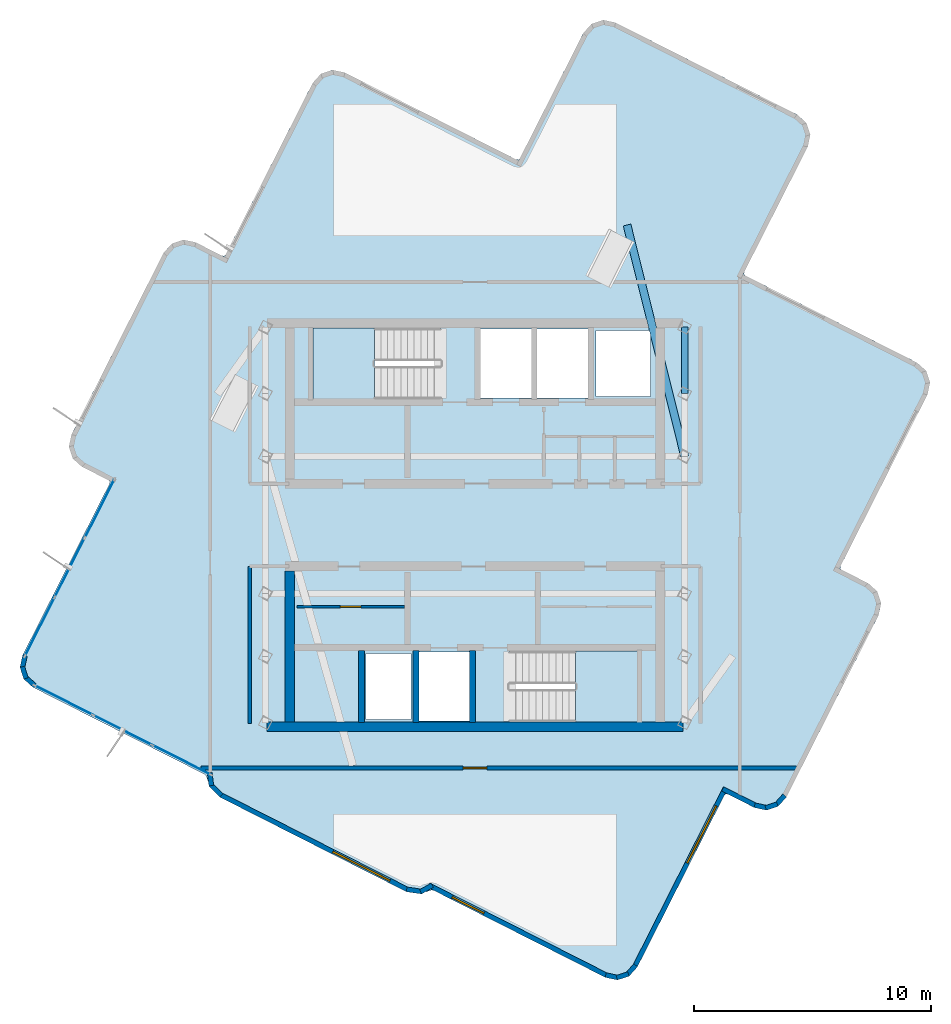
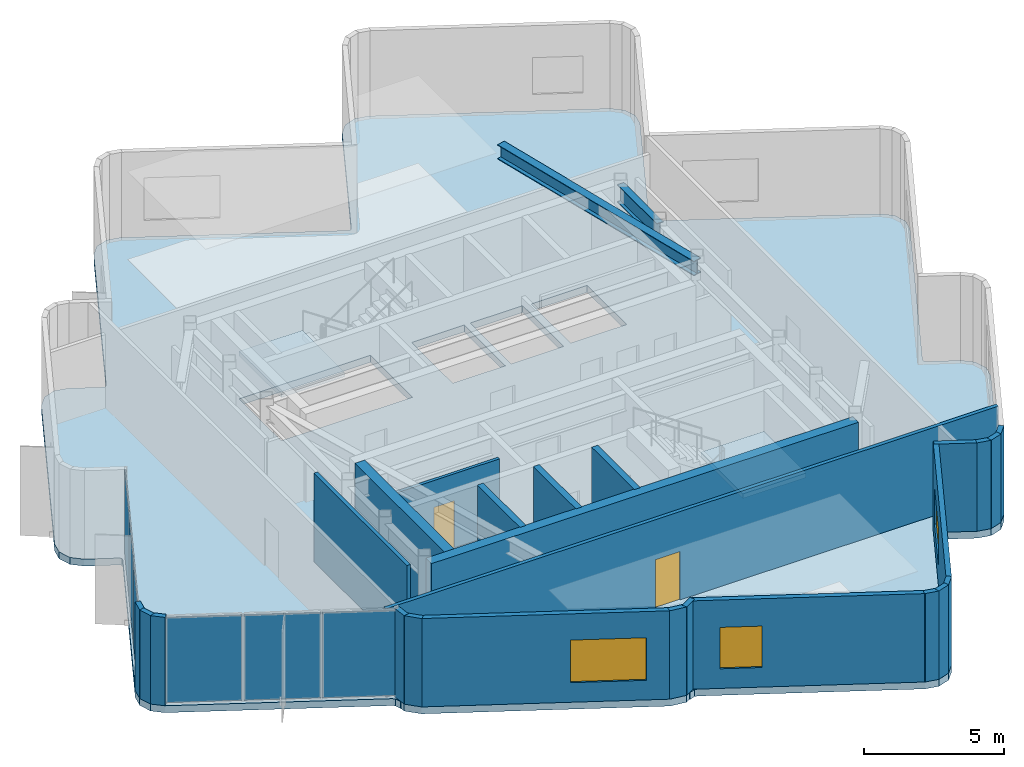
# One storey, part 2 of 8: 25 walls, 6 plates, 3 slabs, 3 windows, 2 beams, 2 doors, 5 openings, 4 elements without a shape of their own.
"""IFC4 building model written with IfcOpenShell, lengths in metres."""

from ifc_helpers import new_model, si_unit, direction, frame, frame_2d, origin, origin_2d, place, context, subcontext, project, spatial, polyline, rectangle, i_section, outline, extrude, material, layer, layer_set, material_profile, profile_set, type_object, element, fill, aggregate, save


model = new_model("IFC4")

# Units and contexts
model_context = context("Model", 3, precision=1e-05, world=origin(), true_north=direction((0.0, 1.0)))
body_context = subcontext(model_context, "Body", "Model", "MODEL_VIEW")
ifc_project = project(units=[si_unit("LENGTHUNIT", "METRE"), si_unit("AREAUNIT", "SQUARE_METRE"), si_unit("VOLUMEUNIT", "CUBIC_METRE"), si_unit("PLANEANGLEUNIT", "RADIAN"), si_unit("MASSUNIT", "GRAM", prefix="KILO")], contexts=[model_context])

# Site, building, storey
site_placement = place(None, origin())
site = spatial("IfcSite", under=ifc_project, at=site_placement, CompositionType="ELEMENT")
building_placement = place(site_placement, origin())
building = spatial("IfcBuilding", under=site, at=building_placement, Name="Solmarez Civic Tower", CompositionType="ELEMENT")
storey_placement = place(building_placement, frame((0.0, 0.0, 289.260009765625)))
storey = spatial("IfcBuildingStorey", under=building, at=storey_placement, Name="L78 Crown", CompositionType="ELEMENT", Elevation=289.260009765625)

# Beams
ifc_material_1 = material(Name="Steel S355", Category="steel")
ifc_material_profile_1 = material_profile(ifc_material_1, i_section(OverallWidth=0.327880859375, OverallDepth=0.6220703125, WebThickness=0.015380859375, FlangeThickness=0.0244140625, at=origin_2d()), Name="W24X131")
ifc_profile_set_1 = profile_set([ifc_material_profile_1], Name="Steel S355")
beam_type_1 = type_object("IfcBeamType", Name="BM-PR-W24X131", PredefinedType="BEAM", material=ifc_profile_set_1)
beam_1_placement = place(storey_placement, frame((8.85009765625, 2.89990234375, 3.529052734375), z_axis=(-0.24147379309, 0.970407340889, 0.0), x_axis=(-0.970407340889, -0.24147379309, 0.0)))
element("IfcBeam", 1, at=beam_1_placement, inside=storey, type_object=beam_type_1, Name="L78 Crown Primary Floor Beam BM-L78 Crown-CR-E2", PredefinedType="BEAM", context=body_context, shape_type="SweptSolid", body=[
    extrude(i_section(OverallWidth=0.327880859375, OverallDepth=0.6220703125, WebThickness=0.015380859375, FlangeThickness=0.0244140625, at=origin_2d()), origin(), (0.0, 0.0, 1.0), 10.06396484375),
])
ifc_material_profile_2 = material_profile(ifc_material_1, i_section(OverallWidth=0.26708984375, OverallDepth=0.761962890625, WebThickness=0.014404296875, FlangeThickness=0.021484375, at=origin_2d()), Name="W30X116")
ifc_profile_set_2 = profile_set([ifc_material_profile_2], Name="Steel S355")
beam_type_2 = type_object("IfcBeamType", Name="BM-PR-W30X116", PredefinedType="BEAM", material=ifc_profile_set_2)
beam_2_placement = place(storey_placement, frame((8.85009765625, 5.550048828125, 3.458984375), z_axis=(0.0, 1.0, 0.0), x_axis=(-1.0, 0.0, 0.0)))
element("IfcBeam", 2, at=beam_2_placement, inside=storey, type_object=beam_type_2, Name="L78 Crown Primary Floor Beam BM-L78 Crown-HC8-HC11", PredefinedType="BEAM", context=body_context, shape_type="SweptSolid", body=[
    extrude(i_section(OverallWidth=0.26708984375, OverallDepth=0.761962890625, WebThickness=0.014404296875, FlangeThickness=0.021484375, at=origin_2d()), origin(), (0.0, 0.0, 1.0), 2.800048828125),
])

# Curtain wall, plates
ifc_material_2 = material(Name="Bronze Anodised Aluminium EN AW-6063 T6", Category="aluminium")
ifc_layer_1 = layer(ifc_material_2, 0.195068359375)
ifc_layer_set_1 = layer_set([ifc_layer_1], Name="Bronze Anodised Aluminium EN AW-6063 T6")
curtain_wall_type = type_object("IfcCurtainWallType", Name="CW-SYS-7", PredefinedType="NOTDEFINED", material=ifc_layer_set_1)
curtain_wall_1_placement = place(storey_placement, origin())
curtain_wall_1 = element("IfcCurtainWall", 3, at=curtain_wall_1_placement, inside=storey, type_object=curtain_wall_type, Name="L78 Crown Stick-Built Curtain Wall 1", PredefinedType="NOTDEFINED")
ifc_material_3 = material(Name="Solar Control Low-E Laminated Vision Glass", Category="glass")
ifc_layer_2 = layer(ifc_material_3, 0.035888671875)
ifc_layer_set_2 = layer_set([ifc_layer_2], Name="Solar Control Low-E Laminated Vision Glass")
plate_type = type_object("IfcPlateType", Name="CWP-GLAZ-36", PredefinedType="CURTAIN_PANEL", material=ifc_layer_set_2)
plate_1_placement = place(storey_placement, frame((-12.38671875, -9.92138671875, 0.06982421875), z_axis=(0.0, 0.0, 1.0), x_axis=(-0.891942519449, 0.452148805151, 0.0)))
plate_1 = element("IfcPlate", 4, at=plate_1_placement, type_object=plate_type, Name="CWS7 panel 1.1", PredefinedType="CURTAIN_PANEL", context=body_context, shape_type="SweptSolid", body=[
    extrude(rectangle(XDim=2.708251953125, YDim=0.035888671875, at=origin_2d()), origin(), (0.0, 0.0, 1.0), 3.699951171875),
])
plate_2_placement = place(storey_placement, frame((-14.875, -8.659912109375, 0.06982421875), z_axis=(0.0, 0.0, 1.0), x_axis=(-0.891942519449, 0.452148805151, 0.0)))
plate_2 = element("IfcPlate", 5, at=plate_2_placement, type_object=plate_type, Name="CWS7 panel 2.1", PredefinedType="CURTAIN_PANEL", context=body_context, shape_type="SweptSolid", body=[
    extrude(rectangle(XDim=2.740966796875, YDim=0.035888671875, at=origin_2d()), origin(), (0.0, 0.0, 1.0), 3.699951171875),
])
plate_3_placement = place(storey_placement, frame((-17.36328125, -7.398681640625, 0.06982421875), z_axis=(0.0, 0.0, 1.0), x_axis=(-0.891942519449, 0.452148805151, 0.0)))
plate_3 = element("IfcPlate", 6, at=plate_3_placement, type_object=plate_type, Name="CWS7 panel 3.1", PredefinedType="CURTAIN_PANEL", context=body_context, shape_type="SweptSolid", body=[
    extrude(rectangle(XDim=2.708251953125, YDim=0.035888671875, at=origin_2d()), origin(), (0.0, 0.0, 1.0), 3.699951171875),
])
aggregate(curtain_wall_1, [plate_1, plate_2, plate_3])

curtain_wall_2_placement = place(storey_placement, origin())
curtain_wall_2 = element("IfcCurtainWall", 7, at=curtain_wall_2_placement, inside=storey, type_object=curtain_wall_type, Name="L78 Crown Stick-Built Curtain Wall 2", PredefinedType="NOTDEFINED")
plate_4_placement = place(storey_placement, frame((-18.37744140625, -4.295166015625, 0.06982421875), z_axis=(0.0, 0.0, 1.0), x_axis=(0.452140962622, 0.891946494987, 0.0)))
plate_4 = element("IfcPlate", 8, at=plate_4_placement, type_object=plate_type, Name="CWS7 panel 1.1", PredefinedType="CURTAIN_PANEL", context=body_context, shape_type="SweptSolid", body=[
    extrude(rectangle(XDim=2.712890625, YDim=0.035888671875, at=origin_2d()), origin(), (0.0, 0.0, 1.0), 3.699951171875),
])
plate_5_placement = place(storey_placement, frame((-17.114013671875, -1.802978515625, 0.06982421875), z_axis=(0.0, 0.0, 1.0), x_axis=(0.452140962622, 0.891946494987, 0.0)))
plate_5 = element("IfcPlate", 9, at=plate_5_placement, type_object=plate_type, Name="CWS7 panel 2.1", PredefinedType="CURTAIN_PANEL", context=body_context, shape_type="SweptSolid", body=[
    extrude(rectangle(XDim=2.745361328125, YDim=0.035888671875, at=origin_2d()), origin(), (0.0, 0.0, 1.0), 3.699951171875),
])
plate_6_placement = place(storey_placement, frame((-15.8505859375, 0.689208984375, 0.06982421875), z_axis=(0.0, 0.0, 1.0), x_axis=(0.452140962622, 0.891946494987, 0.0)))
plate_6 = element("IfcPlate", 10, at=plate_6_placement, type_object=plate_type, Name="CWS7 panel 3.1", PredefinedType="CURTAIN_PANEL", context=body_context, shape_type="SweptSolid", body=[
    extrude(rectangle(XDim=2.712890625, YDim=0.035888671875, at=origin_2d()), origin(), (0.0, 0.0, 1.0), 3.699951171875),
])
aggregate(curtain_wall_2, [plate_4, plate_5, plate_6])

# Slab
ifc_material_4 = material(Name="Concrete C50/60", Category="concrete")
ifc_layer_3 = layer(ifc_material_4, 0.300048828125)
ifc_layer_set_3 = layer_set([ifc_layer_3], Name="Concrete C50/60")
slab_type_1 = type_object("IfcSlabType", Name="SLAB-CROWN-300", PredefinedType="FLOOR", material=ifc_layer_set_3)
slab_1_placement = place(storey_placement, frame((0.0, 0.0, -0.300048828125)))
element("IfcSlab", 11, at=slab_1_placement, inside=storey, type_object=slab_type_1, Name="L78 Crown Structural Slab", PredefinedType="FLOOR", context=body_context, shape_type="SweptSolid", body=[
    extrude(outline(polyline([(-2.076904296875, -15.491943359375), (-1.840087890625, -15.4140625), (-1.72509765625, -15.43798828125), (5.508056640625, -19.10400390625), (6.013916015625, -19.2109375), (6.506103515625, -19.050048828125), (6.85205078125, -18.6640625), (10.51806640625, -11.431884765625), (10.589111328125, -11.35205078125), (10.695068359375, -11.3740234375), (11.799072265625, -11.93408203125), (12.305908203125, -12.041015625), (12.798095703125, -11.8798828125), (13.14306640625, -11.493896484375), (17.041015625, -3.805908203125), (17.14697265625, -3.299072265625), (16.986083984375, -2.806884765625), (16.60107421875, -2.4619140625), (15.49609375, -1.902099609375), (15.416015625, -1.830078125), (15.43798828125, -1.72509765625), (19.10400390625, 5.508056640625), (19.2109375, 6.013916015625), (19.050048828125, 6.506103515625), (18.6640625, 6.85205078125), (11.431884765625, 10.51806640625), (11.35205078125, 10.589111328125), (11.3740234375, 10.695068359375), (14.050048828125, 15.97412109375), (14.156982421875, 16.47998046875), (13.99609375, 16.971923828125), (13.610107421875, 17.318115234375), (5.922119140625, 21.215087890625), (5.4150390625, 21.321044921875), (4.923095703125, 21.159912109375), (4.576904296875, 20.77490234375), (1.902099609375, 15.49609375), (1.830078125, 15.416015625), (1.72509765625, 15.43798828125), (-5.508056640625, 19.10400390625), (-6.013916015625, 19.2109375), (-6.506103515625, 19.050048828125), (-6.85205078125, 18.6640625), (-10.51806640625, 11.431884765625), (-10.589111328125, 11.35205078125), (-10.695068359375, 11.3740234375), (-11.799072265625, 11.93408203125), (-12.305908203125, 12.041015625), (-12.798095703125, 11.8798828125), (-13.14306640625, 11.493896484375), (-17.041015625, 3.805908203125), (-17.14697265625, 3.299072265625), (-16.986083984375, 2.806884765625), (-16.60107421875, 2.4619140625), (-15.49609375, 1.902099609375), (-15.416015625, 1.830078125), (-15.43798828125, 1.72509765625), (-19.10400390625, -5.508056640625), (-19.2109375, -6.013916015625), (-19.050048828125, -6.506103515625), (-18.6640625, -6.85205078125), (-11.431884765625, -10.51806640625), (-11.343994140625, -10.595947265625), (-11.26708984375, -10.833984375), (-11.256103515625, -10.830078125), (-11.23291015625, -11.02587890625), (-10.782958984375, -11.486083984375), (-2.888916015625, -15.487060546875), (-2.2529296875, -15.577880859375), (-2.0810546875, -15.48095703125), (-2.076904296875, -15.491943359375)]), holes=[polyline([(-1.449951171875, 8.320068359375), (-6.85009765625, 8.320068359375), (-6.85009765625, 5.320068359375), (-1.449951171875, 5.320068359375), (-1.449951171875, 8.320068359375)]), polyline([(1.449951171875, -8.320068359375), (6.85009765625, -8.320068359375), (6.85009765625, -5.320068359375), (1.449951171875, -5.320068359375), (1.449951171875, -8.320068359375)]), polyline([(0.219970703125, 5.360107421875), (2.3798828125, 5.360107421875), (2.3798828125, 8.280029296875), (0.219970703125, 8.280029296875), (0.219970703125, 5.360107421875)]), polyline([(2.6201171875, 5.360107421875), (4.780029296875, 5.360107421875), (4.780029296875, 8.280029296875), (2.6201171875, 8.280029296875), (2.6201171875, 5.360107421875)]), polyline([(-2.3798828125, -8.280029296875), (-0.219970703125, -8.280029296875), (-0.219970703125, -5.360107421875), (-2.3798828125, -5.360107421875), (-2.3798828125, -8.280029296875)]), polyline([(5.10009765625, 5.419921875), (7.39990234375, 5.419921875), (7.39990234375, 8.219970703125), (5.10009765625, 8.219970703125), (5.10009765625, 5.419921875)]), polyline([(-4.60009765625, -8.219970703125), (-2.699951171875, -8.219970703125), (-2.699951171875, -5.419921875), (-4.60009765625, -5.419921875), (-4.60009765625, -8.219970703125)])]), origin(), (0.0, 0.0, 1.0), 0.300048828125),
])

# Stair, slab
stair_type = type_object("IfcStairType", Name="STAIR-DOGLEG-140W-22R-1882", PredefinedType="HALF_TURN_STAIR", material=ifc_material_4)
stair_1_placement = place(storey_placement, origin())
stair_1 = element("IfcStair", 12, at=stair_1_placement, inside=storey, type_object=stair_type, Name="L78 Crown North Core Protected Exit Stair ST-1", PredefinedType="HALF_TURN_STAIR")
ifc_layer_4 = layer(ifc_material_4, 0.199951171875)
ifc_layer_set_4 = layer_set([ifc_layer_4], Name="Concrete C50/60")
slab_type_2 = type_object("IfcSlabType", Name="SLAB-LANDING-200", PredefinedType="LANDING", material=ifc_layer_set_4)
slab_2_placement = place(storey_placement, frame((0.0, 0.0, 1.869873046875)))
slab_2 = element("IfcSlab", 13, at=slab_2_placement, type_object=slab_type_2, Name="ST-1 landing 1", PredefinedType="LANDING", context=body_context, shape_type="SweptSolid", body=[
    extrude(outline(polyline([(-4.25, 8.320068359375), (-6.85009765625, 8.320068359375), (-6.85009765625, 5.320068359375), (-4.25, 5.320068359375), (-4.25, 8.320068359375)])), origin(), (0.0, 0.0, 1.0), 0.2001953125),
])
aggregate(stair_1, [slab_2])

stair_2_placement = place(storey_placement, origin())
stair_2 = element("IfcStair", 14, at=stair_2_placement, inside=storey, type_object=stair_type, Name="L78 Crown South Core Protected Exit Stair ST-2", PredefinedType="HALF_TURN_STAIR")
slab_3_placement = place(storey_placement, frame((0.0, 0.0, 1.869873046875)))
slab_3 = element("IfcSlab", 15, at=slab_3_placement, type_object=slab_type_2, Name="ST-2 landing 1", PredefinedType="LANDING", context=body_context, shape_type="SweptSolid", body=[
    extrude(outline(polyline([(4.25, -8.320068359375), (6.85009765625, -8.320068359375), (6.85009765625, -5.320068359375), (4.25, -5.320068359375), (4.25, -8.320068359375)])), origin(), (0.0, 0.0, 1.0), 0.2001953125),
])
aggregate(stair_2, [slab_3])

# Walls
ifc_layer_5 = layer(ifc_material_4, 0.39990234375)
ifc_layer_set_5 = layer_set([ifc_layer_5], Name="Concrete C50/60")
wall_type_1 = type_object("IfcWallType", Name="WALL-CORE-400", PredefinedType="SHEAR", material=ifc_layer_set_5)
wall_1_placement = place(storey_placement, frame((8.780029296875, -8.510009765625, 0.0), z_axis=(0.0, 0.0, 1.0), x_axis=(-1.0, 0.0, 0.0)))
element("IfcWall", 16, at=wall_1_placement, inside=storey, type_object=wall_type_1, Name="L78 Crown Split-Core Structural Wall SCW-S-L78 Crown", PredefinedType="SHEAR", context=body_context, shape_type="SweptSolid", body=[
    extrude(rectangle(XDim=17.56005859375, YDim=0.39990234375, at=frame_2d((8.780029296875, 0.0))), origin(), (0.0, 0.0, 1.0), 3.840087890625),
])
wall_2_placement = place(storey_placement, frame((-7.820068359375, -8.31005859375, 0.0), z_axis=(0.0, 0.0, 1.0), x_axis=(0.0, 1.0, 0.0)))
element("IfcWall", 17, at=wall_2_placement, inside=storey, type_object=wall_type_1, Name="L78 Crown Split-Core Structural Wall SCW-W-L78 Crown", PredefinedType="SHEAR", context=body_context, shape_type="SweptSolid", body=[
    extrude(rectangle(XDim=6.360107421875, YDim=0.39990234375, at=frame_2d((3.18017578125, 0.0))), origin(), (0.0, 0.0, 1.0), 3.840087890625),
])
ifc_material_5 = material(Name="Precast concrete C40/50", Category="concrete")
ifc_layer_6 = layer(ifc_material_5, 0.199951171875)
ifc_layer_set_6 = layer_set([ifc_layer_6], Name="Precast concrete C40/50")
wall_type_2 = type_object("IfcWallType", Name="WALL-EXT-200", PredefinedType="SOLIDWALL", material=ifc_layer_set_6)
wall_3_placement = place(storey_placement, frame((-18.587890625, -6.784912109375, 0.0), z_axis=(0.0, 0.0, 1.0), x_axis=(-0.745954062295, 0.665997400104, 0.0)))
element("IfcWall", 18, at=wall_3_placement, inside=storey, type_object=wall_type_2, Name="L78 Crown Exterior Precast Wall 4", PredefinedType="SOLIDWALL", context=body_context, shape_type="SweptSolid", body=[
    extrude(rectangle(XDim=0.5283203125, YDim=0.199951171875, at=frame_2d((0.26416015625, 0.0))), origin(), (0.0, 0.0, 1.0), 3.840087890625),
])
wall_4_placement = place(storey_placement, frame((-18.955078125, -6.47412109375, 0.0), z_axis=(0.0, 0.0, 1.0), x_axis=(-0.310813054196, 0.950471064968, 0.0)))
element("IfcWall", 19, at=wall_4_placement, inside=storey, type_object=wall_type_2, Name="L78 Crown Exterior Precast Wall 5", PredefinedType="SOLIDWALL", context=body_context, shape_type="SweptSolid", body=[
    extrude(rectangle(XDim=0.514404296875, YDim=0.199951171875, at=frame_2d((0.25732421875, 0.0))), origin(), (0.0, 0.0, 1.0), 3.840087890625),
])
wall_5_placement = place(storey_placement, frame((-19.112060546875, -6.032958984375, 0.0), z_axis=(0.0, 0.0, 1.0), x_axis=(0.205193375664, 0.978721450967, 0.0)))
element("IfcWall", 20, at=wall_5_placement, inside=storey, type_object=wall_type_2, Name="L78 Crown Exterior Precast Wall 6", PredefinedType="SOLIDWALL", context=body_context, shape_type="SweptSolid", body=[
    extrude(rectangle(XDim=0.527099609375, YDim=0.199951171875, at=frame_2d((0.263671875, 0.0))), origin(), (0.0, 0.0, 1.0), 3.840087890625),
])
wall_6_placement = place(storey_placement, frame((13.076904296875, -11.41796875, 0.0), z_axis=(0.0, 0.0, 1.0), x_axis=(-0.667024211776, -0.745036040004, 0.0)))
element("IfcWall", 21, at=wall_6_placement, inside=storey, type_object=wall_type_2, Name="L78 Crown Exterior Precast Wall 51", PredefinedType="SOLIDWALL", context=body_context, shape_type="SweptSolid", body=[
    extrude(rectangle(XDim=0.52880859375, YDim=0.199951171875, at=frame_2d((0.264404296875, 0.0))), origin(), (0.0, 0.0, 1.0), 3.840087890625),
])
wall_7_placement = place(storey_placement, frame((12.764892578125, -11.784912109375, 0.0), z_axis=(0.0, 0.0, 1.0), x_axis=(-0.950330805768, -0.311241641829, 0.0)))
element("IfcWall", 22, at=wall_7_placement, inside=storey, type_object=wall_type_2, Name="L78 Crown Exterior Precast Wall 52", PredefinedType="SOLIDWALL", context=body_context, shape_type="SweptSolid", body=[
    extrude(rectangle(XDim=0.5146484375, YDim=0.199951171875, at=frame_2d((0.25732421875, 0.0))), origin(), (0.0, 0.0, 1.0), 3.840087890625),
])
wall_8_placement = place(storey_placement, frame((12.323974609375, -11.94189453125, 0.0), z_axis=(0.0, 0.0, 1.0), x_axis=(-0.978736488985, 0.20512163496, 0.0)))
element("IfcWall", 23, at=wall_8_placement, inside=storey, type_object=wall_type_2, Name="L78 Crown Exterior Precast Wall 53", PredefinedType="SOLIDWALL", context=body_context, shape_type="SweptSolid", body=[
    extrude(rectangle(XDim=0.526123046875, YDim=0.199951171875, at=frame_2d((0.26318359375, 0.0))), origin(), (0.0, 0.0, 1.0), 3.840087890625),
])
wall_9_placement = place(storey_placement, frame((11.85498046875, -11.85009765625, 0.0), z_axis=(0.0, 0.0, 1.0), x_axis=(-0.891975264725, 0.452084203572, 0.0)))
element("IfcWall", 24, at=wall_9_placement, inside=storey, type_object=wall_type_2, Name="L78 Crown Exterior Precast Wall 54", PredefinedType="SOLIDWALL", context=body_context, shape_type="SweptSolid", body=[
    extrude(rectangle(XDim=1.561767578125, YDim=0.199951171875, at=frame_2d((0.78076171875, 0.0))), origin(), (0.0, 0.0, 1.0), 3.840087890625),
])

# Wall, opening, window
wall_10_placement = place(storey_placement, frame((10.569091796875, -11.10888671875, 0.0), z_axis=(0.0, 0.0, 1.0), x_axis=(-0.452141134176, -0.891946408024, 0.0)))
wall_10 = element("IfcWall", 25, at=wall_10_placement, inside=storey, type_object=wall_type_2, Name="L78 Crown Exterior Precast Wall 57", PredefinedType="SOLIDWALL", context=body_context, shape_type="SweptSolid", body=[
    extrude(rectangle(XDim=8.430908203125, YDim=0.199951171875, at=frame_2d((4.21533203125, 0.0))), origin(), (0.0, 0.0, 1.0), 3.840087890625),
])
opening_1_placement = place(wall_10_placement, frame((0.85009765625, 0.0, 0.85009765625)))
opening_1 = element("IfcOpeningElement", 26, at=opening_1_placement, cuts=wall_10, Name="Opening W-09", PredefinedType="OPENING", context=body_context, shape_type="SweptSolid", body=[
    extrude(rectangle(XDim=2.699951171875, YDim=1.64990234375, at=frame_2d((1.35009765625, 0.824951171875))), frame((0.0, 0.10986328125, 0.0), z_axis=(0.0, -1.0, 0.0), x_axis=(1.0, 0.0, 0.0)), (0.0, 0.0, 1.0), 0.219970703125),
])
ifc_material_6 = material(Name="Solar Control Bronze-Tinted Insulating Glass", Category="glass")
window_type_1 = type_object("IfcWindowType", Name="WIN-2700X1650", PartitioningType="SINGLE_PANEL", PredefinedType="WINDOW", material=ifc_material_6)
window_1_placement = place(opening_1_placement, origin())
window_1 = element("IfcWindow", 27, at=window_1_placement, inside=storey, type_object=window_type_1, Name="L78 Crown Exterior Facade Window 57", OverallHeight=1.64990234375, OverallWidth=2.699951171875, PartitioningType="SINGLE_PANEL", PredefinedType="WINDOW", context=body_context, shape_type="SweptSolid", body=[
    extrude(rectangle(XDim=2.699951171875, YDim=1.64990234375, at=frame_2d((1.35009765625, 0.824951171875))), frame((0.0, 0.030029296875, 0.0), z_axis=(0.0, -1.0, 0.0), x_axis=(1.0, 0.0, 0.0)), (0.0, 0.0, 1.0), 0.06005859375),
])
fill(opening_1, window_1)

# Walls
wall_11_placement = place(storey_placement, frame((6.784912109375, -18.587890625, 0.0), z_axis=(0.0, 0.0, 1.0), x_axis=(-0.665997400104, -0.745954062295, 0.0)))
element("IfcWall", 28, at=wall_11_placement, inside=storey, type_object=wall_type_2, Name="L78 Crown Exterior Precast Wall 58", PredefinedType="SOLIDWALL", context=body_context, shape_type="SweptSolid", body=[
    extrude(rectangle(XDim=0.5283203125, YDim=0.199951171875, at=frame_2d((0.26416015625, 0.0))), origin(), (0.0, 0.0, 1.0), 3.840087890625),
])
wall_12_placement = place(storey_placement, frame((6.47412109375, -18.955078125, 0.0), z_axis=(0.0, 0.0, 1.0), x_axis=(-0.950471064968, -0.310813054196, 0.0)))
element("IfcWall", 29, at=wall_12_placement, inside=storey, type_object=wall_type_2, Name="L78 Crown Exterior Precast Wall 59", PredefinedType="SOLIDWALL", context=body_context, shape_type="SweptSolid", body=[
    extrude(rectangle(XDim=0.514404296875, YDim=0.199951171875, at=frame_2d((0.25732421875, 0.0))), origin(), (0.0, 0.0, 1.0), 3.840087890625),
])
wall_13_placement = place(storey_placement, frame((6.032958984375, -19.112060546875, 0.0), z_axis=(0.0, 0.0, 1.0), x_axis=(-0.978721450967, 0.205193375664, 0.0)))
element("IfcWall", 30, at=wall_13_placement, inside=storey, type_object=wall_type_2, Name="L78 Crown Exterior Precast Wall 60", PredefinedType="SOLIDWALL", context=body_context, shape_type="SweptSolid", body=[
    extrude(rectangle(XDim=0.527099609375, YDim=0.199951171875, at=frame_2d((0.263671875, 0.0))), origin(), (0.0, 0.0, 1.0), 3.840087890625),
])

# Wall, opening, window
wall_14_placement = place(storey_placement, frame((5.56298828125, -19.02001953125, 0.0), z_axis=(0.0, 0.0, 1.0), x_axis=(-0.891972005999, 0.452090633076, 0.0)))
wall_14 = element("IfcWall", 31, at=wall_14_placement, inside=storey, type_object=wall_type_2, Name="L78 Crown Exterior Precast Wall 61", PredefinedType="SOLIDWALL", context=body_context, shape_type="SweptSolid", body=[
    extrude(rectangle(XDim=8.41845703125, YDim=0.199951171875, at=frame_2d((4.209228515625, 0.0))), origin(), (0.0, 0.0, 1.0), 3.840087890625),
])
opening_2_placement = place(wall_14_placement, frame((5.81591796875, 0.0, 0.85009765625)))
opening_2 = element("IfcOpeningElement", 32, at=opening_2_placement, cuts=wall_14, Name="Opening W-13", PredefinedType="OPENING", context=body_context, shape_type="SweptSolid", body=[
    extrude(rectangle(XDim=1.5, YDim=1.800048828125, at=frame_2d((0.75, 0.89990234375))), frame((0.0, 0.10986328125, 0.0), z_axis=(0.0, -1.0, 0.0), x_axis=(1.0, 0.0, 0.0)), (0.0, 0.0, 1.0), 0.219970703125),
])
window_type_2 = type_object("IfcWindowType", Name="WIN-1500X1800", PartitioningType="SINGLE_PANEL", PredefinedType="WINDOW", material=ifc_material_6)
window_2_placement = place(opening_2_placement, origin())
window_2 = element("IfcWindow", 33, at=window_2_placement, inside=storey, type_object=window_type_2, Name="L78 Crown Exterior Facade Window 61", OverallHeight=1.800048828125, OverallWidth=1.5, PartitioningType="SINGLE_PANEL", PredefinedType="WINDOW", context=body_context, shape_type="SweptSolid", body=[
    extrude(rectangle(XDim=1.5, YDim=1.800048828125, at=frame_2d((0.75, 0.89990234375))), frame((0.0, 0.030029296875, 0.0), z_axis=(0.0, -1.0, 0.0), x_axis=(1.0, 0.0, 0.0)), (0.0, 0.0, 1.0), 0.06005859375),
])
fill(opening_2, window_2)

# Walls
wall_15_placement = place(storey_placement, frame((-1.804931640625, -15.2109375, 0.0), z_axis=(0.0, 0.0, 1.0), x_axis=(-0.871517430789, -0.490364525461, 0.0)))
element("IfcWall", 34, at=wall_15_placement, inside=storey, type_object=wall_type_2, Name="L78 Crown Exterior Precast Wall 65", PredefinedType="SOLIDWALL", context=body_context, shape_type="SweptSolid", body=[
    extrude(rectangle(XDim=0.56103515625, YDim=0.199951171875, at=frame_2d((0.280517578125, 0.0))), origin(), (0.0, 0.0, 1.0), 3.840087890625),
])
wall_16_placement = place(storey_placement, frame((-2.2470703125, -15.47802734375, 0.0), z_axis=(0.0, 0.0, 1.0), x_axis=(-0.989720602345, 0.143014437364, 0.0)))
element("IfcWall", 35, at=wall_16_placement, inside=storey, type_object=wall_type_2, Name="L78 Crown Exterior Precast Wall 66", PredefinedType="SOLIDWALL", context=body_context, shape_type="SweptSolid", body=[
    extrude(rectangle(XDim=0.6435546875, YDim=0.199951171875, at=frame_2d((0.32177734375, 0.0))), origin(), (0.0, 0.0, 1.0), 3.840087890625),
])

# Wall, opening, window
wall_17_placement = place(storey_placement, frame((-2.8369140625, -15.40087890625, 0.0), z_axis=(0.0, 0.0, 1.0), x_axis=(-0.891990770647, 0.452053608636, 0.0)))
wall_17 = element("IfcWall", 36, at=wall_17_placement, inside=storey, type_object=wall_type_2, Name="L78 Crown Exterior Precast Wall 67", PredefinedType="SOLIDWALL", context=body_context, shape_type="SweptSolid", body=[
    extrude(rectangle(XDim=8.86572265625, YDim=0.199951171875, at=frame_2d((4.432861328125, 0.0))), origin(), (0.0, 0.0, 1.0), 3.840087890625),
])
opening_3_placement = place(wall_17_placement, frame((0.85009765625, 0.0, 0.85009765625)))
opening_3 = element("IfcOpeningElement", 37, at=opening_3_placement, cuts=wall_17, Name="Opening W-05", PredefinedType="OPENING", context=body_context, shape_type="SweptSolid", body=[
    extrude(rectangle(XDim=2.699951171875, YDim=1.85009765625, at=frame_2d((1.35009765625, 0.925048828125))), frame((0.0, 0.10986328125, 0.0), z_axis=(0.0, -1.0, 0.0), x_axis=(1.0, 0.0, 0.0)), (0.0, 0.0, 1.0), 0.219970703125),
])
window_type_3 = type_object("IfcWindowType", Name="WIN-2700X1850", PartitioningType="SINGLE_PANEL", PredefinedType="WINDOW", material=ifc_material_6)
window_3_placement = place(opening_3_placement, origin())
window_3 = element("IfcWindow", 38, at=window_3_placement, inside=storey, type_object=window_type_3, Name="L78 Crown Exterior Facade Window 67", OverallHeight=1.85009765625, OverallWidth=2.699951171875, PartitioningType="SINGLE_PANEL", PredefinedType="WINDOW", context=body_context, shape_type="SweptSolid", body=[
    extrude(rectangle(XDim=2.699951171875, YDim=1.85009765625, at=frame_2d((1.35009765625, 0.925048828125))), frame((0.0, 0.030029296875, 0.0), z_axis=(0.0, -1.0, 0.0), x_axis=(1.0, 0.0, 0.0)), (0.0, 0.0, 1.0), 0.06005859375),
])
fill(opening_3, window_3)

# Walls
wall_18_placement = place(storey_placement, frame((-10.7060546875, -11.422119140625, 0.0), z_axis=(0.0, 0.0, 1.0), x_axis=(-0.698319106911, 0.715786577775, 0.0)))
element("IfcWall", 39, at=wall_18_placement, inside=storey, type_object=wall_type_2, Name="L78 Crown Exterior Precast Wall 68", PredefinedType="SOLIDWALL", context=body_context, shape_type="SweptSolid", body=[
    extrude(rectangle(XDim=0.642822265625, YDim=0.199951171875, at=frame_2d((0.3212890625, 0.0))), origin(), (0.0, 0.0, 1.0), 3.840087890625),
])
wall_19_placement = place(storey_placement, frame((-11.135009765625, -11.0048828125, 0.0), z_axis=(0.0, 0.0, 1.0), x_axis=(-0.117548500026, 0.993067142816, 0.0)))
element("IfcWall", 40, at=wall_19_placement, inside=storey, type_object=wall_type_2, Name="L78 Crown Exterior Precast Wall 69", PredefinedType="SOLIDWALL", context=body_context, shape_type="SweptSolid", body=[
    extrude(rectangle(XDim=0.560791015625, YDim=0.199951171875, at=frame_2d((0.2802734375, 0.0))), origin(), (0.0, 0.0, 1.0), 3.840087890625),
])
ifc_material_7 = material(Name="Gypsum Board Acoustic Steel-Stud Partition", Category="steel")
ifc_layer_7 = layer(ifc_material_7, 0.14990234375)
ifc_layer_set_7 = layer_set([ifc_layer_7], Name="Gypsum Board Acoustic Steel-Stud Partition")
wall_type_3 = type_object("IfcWallType", Name="WALL-INT-FIRE-150", PredefinedType="PARTITIONING", material=ifc_layer_set_7)
wall_20_placement = place(storey_placement, frame((-9.52001953125, -8.3798828125, 0.0), z_axis=(0.0, 0.0, 1.0), x_axis=(0.0, 1.0, 0.0)))
element("IfcWall", 41, at=wall_20_placement, inside=storey, type_object=wall_type_3, Name="L78 Crown Interior Partition CHW-L78 Crown-WS1", PredefinedType="PARTITIONING", context=body_context, shape_type="SweptSolid", body=[
    extrude(rectangle(XDim=6.6298828125, YDim=0.14990234375, at=frame_2d((3.31494140625, 0.0))), origin(), (0.0, 0.0, 1.0), 3.840087890625),
])

# Wall, opening, door
wall_21_placement = place(storey_placement, frame((13.583984375, -10.260009765625, 0.0), z_axis=(0.0, 0.0, 1.0), x_axis=(-1.0, 0.0, 0.0)))
wall_21 = element("IfcWall", 42, at=wall_21_placement, inside=storey, type_object=wall_type_3, Name="L78 Crown Interior Partition PT-L78 Crown-S", PredefinedType="PARTITIONING", context=body_context, shape_type="SweptSolid", body=[
    extrude(rectangle(XDim=25.158935546875, YDim=0.14990234375, at=frame_2d((12.57958984375, 0.0))), origin(), (0.0, 0.0, 1.0), 3.840087890625),
])
opening_4_placement = place(wall_21_placement, frame((13.083984375, 0.0, 0.0)))
opening_4 = element("IfcOpeningElement", 43, at=opening_4_placement, cuts=wall_21, Name="Opening D-04", PredefinedType="OPENING", context=body_context, shape_type="SweptSolid", body=[
    extrude(rectangle(XDim=1.0, YDim=2.10009765625, at=frame_2d((0.5, 1.050048828125))), frame((0.0, 0.0849609375, 0.0), z_axis=(0.0, -1.0, 0.0), x_axis=(1.0, 0.0, 0.0)), (0.0, 0.0, 1.0), 0.169921875),
])
ifc_material_8 = material(Name="Steel-Faced Acoustic Fire Door", Category="steel")
door_type_1 = type_object("IfcDoorType", Name="DOOR-FD60-1000", OperationType="NOTDEFINED", PredefinedType="DOOR", material=ifc_material_8)
door_1_placement = place(opening_4_placement, origin())
door_1 = element("IfcDoor", 44, at=door_1_placement, inside=storey, type_object=door_type_1, Name="L78 Crown Panoramic Observation Lounge Door", OperationType="SINGLE_SWING_RIGHT", OverallHeight=2.10009765625, OverallWidth=1.0, PredefinedType="DOOR", context=body_context, shape_type="SweptSolid", body=[
    extrude(rectangle(XDim=1.0, YDim=2.10009765625, at=frame_2d((0.5, 1.050048828125))), frame((0.0, 0.02490234375, 0.0), z_axis=(0.0, -1.0, 0.0), x_axis=(1.0, 0.0, 0.0)), (0.0, 0.0, 1.0), 0.050048828125),
])
fill(opening_4, door_1)

ifc_layer_8 = layer(ifc_material_7, 0.1201171875)
ifc_layer_set_8 = layer_set([ifc_layer_8], Name="Gypsum Board Acoustic Steel-Stud Partition")
wall_type_4 = type_object("IfcWallType", Name="WALL-INT-PART-120", PredefinedType="PARTITIONING", material=ifc_layer_set_8)
wall_22_placement = place(storey_placement, frame((-7.52001953125, -3.449951171875, 0.0), z_axis=(0.0, 0.0, 1.0), x_axis=(1.0, 0.0, 0.0)))
wall_22 = element("IfcWall", 45, at=wall_22_placement, inside=storey, type_object=wall_type_4, Name="L78 Crown Interior Partition PT-FPLM-L78 Crown", PredefinedType="PARTITIONING", context=body_context, shape_type="SweptSolid", body=[
    extrude(rectangle(XDim=4.5400390625, YDim=0.1201171875, at=frame_2d((2.27001953125, 0.0))), origin(), (0.0, 0.0, 1.0), 3.2099609375),
])
opening_5_placement = place(wall_22_placement, frame((1.840087890625, 0.0, 0.0)))
opening_5 = element("IfcOpeningElement", 46, at=opening_5_placement, cuts=wall_22, Name="Opening D-14", PredefinedType="OPENING", context=body_context, shape_type="SweptSolid", body=[
    extrude(rectangle(XDim=0.860107421875, YDim=2.0400390625, at=frame_2d((0.43017578125, 1.02001953125))), frame((0.0, 0.070068359375, 0.0), z_axis=(0.0, -1.0, 0.0), x_axis=(1.0, 0.0, 0.0)), (0.0, 0.0, 1.0), 0.14013671875),
])
ifc_material_9 = material(Name="Timber Storage and Pantry Door", Category="wood")
door_type_2 = type_object("IfcDoorType", Name="DOOR-INT-850", OperationType="NOTDEFINED", PredefinedType="DOOR", material=ifc_material_9)
door_2_placement = place(opening_5_placement, origin())
door_2 = element("IfcDoor", 47, at=door_2_placement, inside=storey, type_object=door_type_2, Name="L78 Crown Directorate Copy Office Door", OperationType="SINGLE_SWING_RIGHT", OverallHeight=2.0400390625, OverallWidth=0.860107421875, PredefinedType="DOOR", context=body_context, shape_type="SweptSolid", body=[
    extrude(rectangle(XDim=0.860107421875, YDim=2.0400390625, at=frame_2d((0.43017578125, 1.02001953125))), frame((0.0, 0.02490234375, 0.0), z_axis=(0.0, -1.0, 0.0), x_axis=(1.0, 0.0, 0.0)), (0.0, 0.0, 1.0), 0.050048828125),
])
fill(opening_5, door_2)

# Walls
ifc_layer_9 = layer(ifc_material_4, 0.300048828125)
ifc_layer_set_9 = layer_set([ifc_layer_9], Name="Concrete C50/60")
wall_type_5 = type_object("IfcWallType", Name="WALL-STR-300", PredefinedType="SOLIDWALL", material=ifc_layer_set_9)
for number, where, z_axis, x_axis, name in (
    (48, (-0.10009765625, -8.340087890625, 0.0), (0.0, 0.0, 1.0), (0.0, 1.0, 0.0), "L78 Crown Split-Core Structural Wall SHW-S1-L78 Crown"),
    (49, (-2.5, -8.340087890625, 0.0), (0.0, 0.0, 1.0), (0.0, 1.0, 0.0), "L78 Crown Split-Core Structural Wall SHW-S2-L78 Crown"),
    (50, (-4.800048828125, -8.340087890625, 0.0), (0.0, 0.0, 1.0), (0.0, 1.0, 0.0), "L78 Crown Split-Core Structural Wall SHW-S3-L78 Crown"),
):
    element("IfcWall", number, at=place(storey_placement, frame(where, z_axis=z_axis, x_axis=x_axis)), inside=storey, type_object=wall_type_5, Name=name, PredefinedType="SOLIDWALL", context=body_context, shape_type="SweptSolid", body=[
        extrude(rectangle(XDim=3.0400390625, YDim=0.25, at=frame_2d((1.52001953125, 0.0))), origin(), (0.0, 0.0, 1.0), 3.840087890625),
    ])

save(model, "model.ifc")
